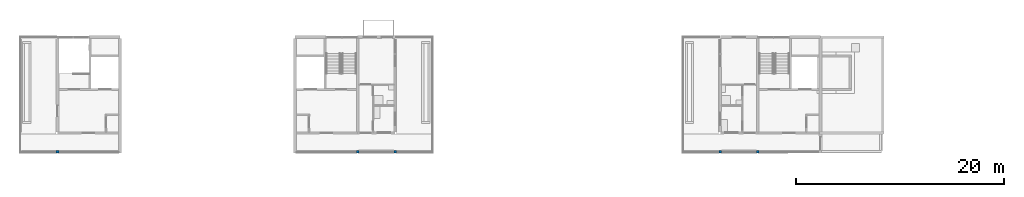
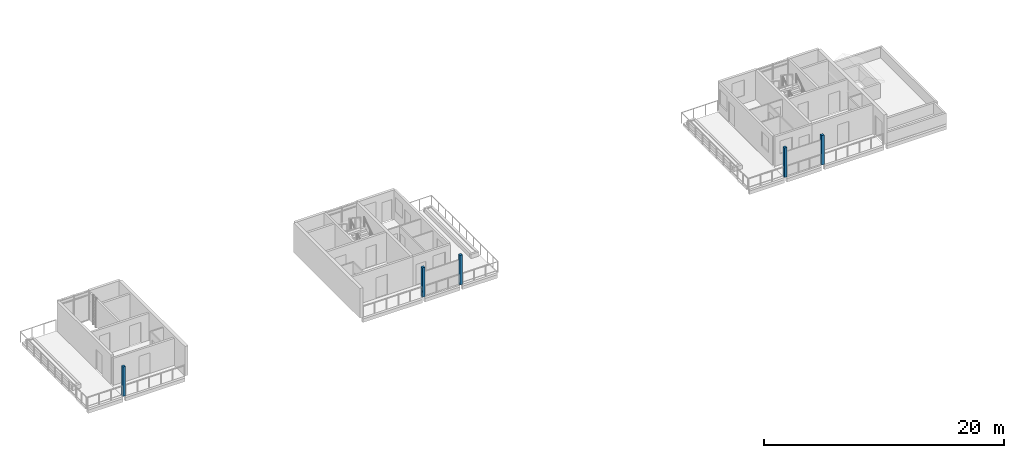
# One storey, part 1 of 33: 5 columns.
"""IFC4 building model written with IfcOpenShell, lengths in metres."""

from ifc_helpers import new_model, si_unit, direction, frame, origin, origin_2d, place, context, subcontext, project, spatial, rectangle, extrude, material, material_profile, profile_set, type_object, element, save


model = new_model("IFC4")

# Units and contexts
model_context = context("Model", 3, precision=1e-05, world=origin(), true_north=direction((0.0, 1.0)))
body_context = subcontext(model_context, "Body", "Model", "MODEL_VIEW")
ifc_project = project(units=[si_unit("LENGTHUNIT", "METRE"), si_unit("AREAUNIT", "SQUARE_METRE"), si_unit("VOLUMEUNIT", "CUBIC_METRE"), si_unit("PLANEANGLEUNIT", "RADIAN"), si_unit("MASSUNIT", "GRAM", prefix="KILO")], contexts=[model_context])

# Site, building, storey
site_placement = place(None, origin())
site = spatial("IfcSite", under=ifc_project, at=site_placement, CompositionType="ELEMENT")
building_placement = place(site_placement, origin())
building = spatial("IfcBuilding", under=site, at=building_placement, Name="Ridgestep Commons", CompositionType="ELEMENT")
storey_placement = place(building_placement, frame((0.0, 0.0, 42.0)))
storey = spatial("IfcBuildingStorey", under=building, at=storey_placement, Name="L14", CompositionType="ELEMENT", Elevation=42.0)

# Columns
ifc_material = material(Name="Precast concrete C40/50", Category="concrete")
ifc_material_profile = material_profile(ifc_material, rectangle(XDim=0.25, YDim=0.25, at=origin_2d()), Name="PC 250x250")
ifc_profile_set = profile_set([ifc_material_profile], Name="Precast concrete C40/50")
column_type = type_object("IfcColumnType", Name="Loggia column 250 x 250", PredefinedType="COLUMN", material=ifc_profile_set)
for number, where, z_axis, x_axis, name in (
    (1, (22.800048828125, 11.875, 0.0), (0.0, 0.0, 1.0), (1.0, 0.0, 0.0), "Loggia column A L14"),
    (2, (51.60009765625, 11.875, 0.0), (0.0, 0.0, 1.0), (1.0, 0.0, 0.0), "Loggia column A L14"),
    (3, (55.199951171875, 11.875, 0.0), (0.0, 0.0, 1.0), (1.0, 0.0, 0.0), "Loggia column A L14"),
    (4, (86.39990234375, 11.875, 0.0), (0.0, 0.0, 1.0), (1.0, 0.0, 0.0), "Loggia column A L14"),
    (5, (90.0, 11.875, 0.0), (0.0, 0.0, 1.0), (1.0, 0.0, 0.0), "Loggia column A L14"),
):
    element("IfcColumn", number, at=place(storey_placement, frame(where, z_axis=z_axis, x_axis=x_axis)), inside=storey, type_object=column_type, Name=name, PredefinedType="COLUMN", context=body_context, shape_type="SweptSolid", body=[
        extrude(rectangle(XDim=0.25, YDim=0.25, at=origin_2d()), origin(), (0.0, 0.0, 1.0), 3.0),
    ])

save(model, "model.ifc")
